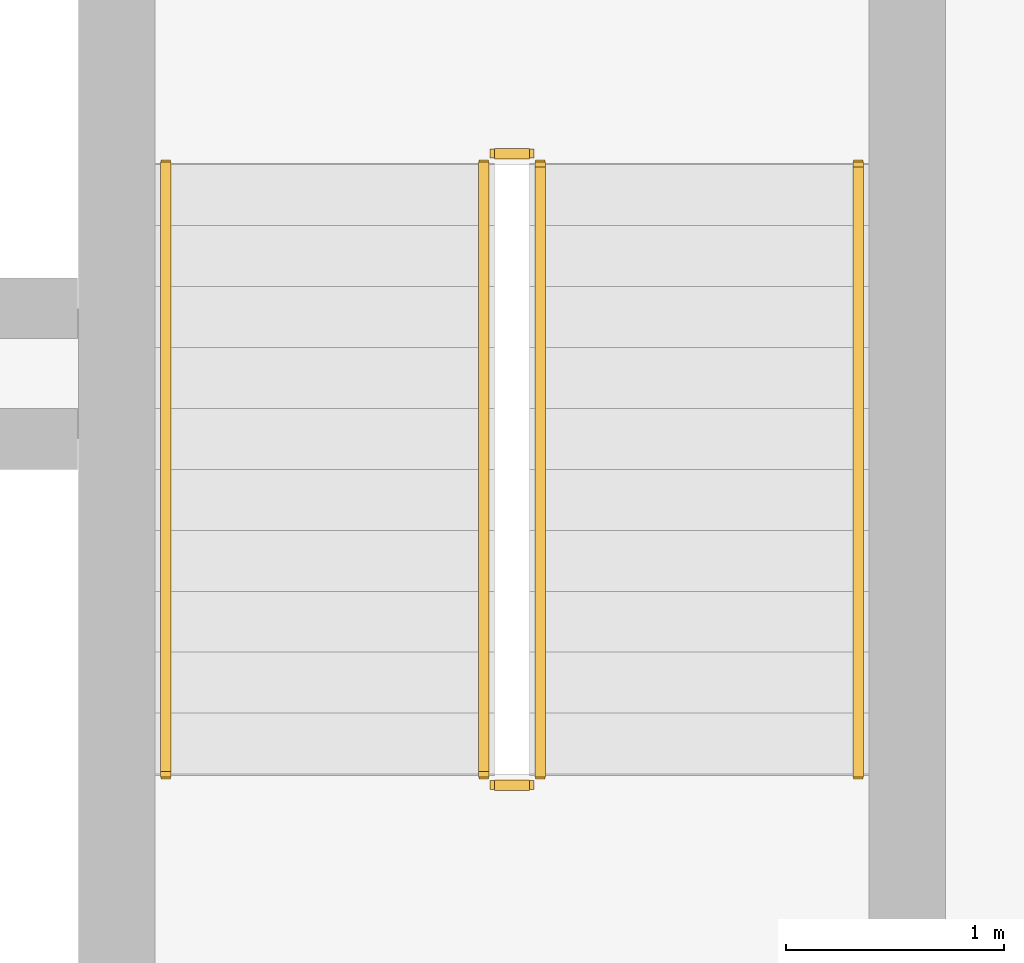
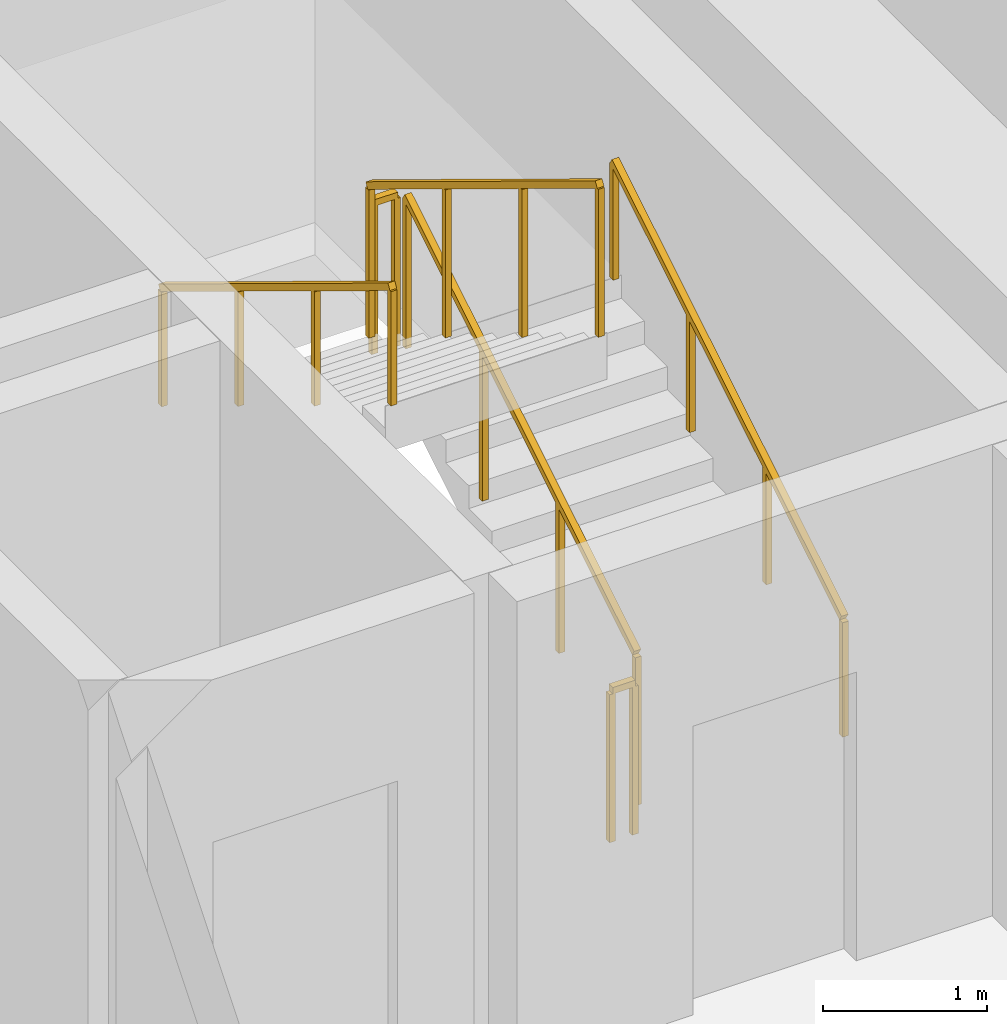
# One storey, part 14 of 14: 6 railings.
"""IFC4 building model written with IfcOpenShell, lengths in metres."""

from ifc_helpers import new_model, si_unit, direction, frame, origin, origin_2d, place, context, subcontext, project, spatial, rectangle, extrude, material, type_object, element, save


model = new_model("IFC4")

# Units and contexts
model_context = context("Model", 3, precision=1e-05, world=origin(), true_north=direction((0.0, 1.0)))
body_context = subcontext(model_context, "Body", "Model", "MODEL_VIEW")
ifc_project = project(units=[si_unit("LENGTHUNIT", "METRE"), si_unit("AREAUNIT", "SQUARE_METRE"), si_unit("VOLUMEUNIT", "CUBIC_METRE"), si_unit("PLANEANGLEUNIT", "RADIAN"), si_unit("MASSUNIT", "GRAM", prefix="KILO")], contexts=[model_context])

# Site, building, storey
site_placement = place(None, origin())
site = spatial("IfcSite", under=ifc_project, at=site_placement, CompositionType="ELEMENT")
building_placement = place(site_placement, origin())
building = spatial("IfcBuilding", under=site, at=building_placement, Name="Kaelvorn Grand Hotel", CompositionType="ELEMENT")
storey_placement = place(building_placement, frame((0.0, 0.0, 123.050048828125)))
storey = spatial("IfcBuildingStorey", under=building, at=storey_placement, Name="L29", CompositionType="ELEMENT", Elevation=123.050048828125)

# Railings
ifc_material = material(Name="Stainless Steel", Category="steel")
railing_type_1 = type_object("IfcRailingType", Name="RL-HANDRAIL-900", PredefinedType="HANDRAIL", material=ifc_material)
railing_1_placement = place(storey_placement, frame((66.550048828125, 41.760009765625, 0.17041015625)))
element("IfcRailing", 1, at=railing_1_placement, inside=storey, type_object=railing_type_1, Name="L29 ST3 stair handrail 1", PredefinedType="HANDRAIL", context=body_context, shape_type="SweptSolid", body=[
    extrude(rectangle(XDim=0.048095703125, YDim=0.048095703125, at=origin_2d()), frame((0.0, 0.0, 0.8759765625), z_axis=(0.0, 0.854169791009, 0.51999420009), x_axis=(-1.0, 0.0, 0.0)), (0.0, 0.0, 1.0), 3.278076171875),
    extrude(rectangle(XDim=0.0419921875, YDim=0.0419921875, at=origin_2d()), origin(), (0.0, 0.0, 1.0), 0.851806640625),
    extrude(rectangle(XDim=0.0419921875, YDim=0.0419921875, at=origin_2d()), frame((0.0, 0.933349609375, 0.568115234375)), (0.0, 0.0, 1.0), 0.851806640625),
    extrude(rectangle(XDim=0.0419921875, YDim=0.0419921875, at=origin_2d()), frame((0.0, 1.86669921875, 1.136474609375)), (0.0, 0.0, 1.0), 0.851806640625),
    extrude(rectangle(XDim=0.0419921875, YDim=0.0419921875, at=origin_2d()), frame((0.0, 2.800048828125, 1.70458984375)), (0.0, 0.0, 1.0), 0.851806640625),
])
railing_2_placement = place(storey_placement, frame((63.3701171875, 44.56005859375, 2.04541015625)))
element("IfcRailing", 2, at=railing_2_placement, inside=storey, type_object=railing_type_1, Name="L29 ST3 stair handrail 2", PredefinedType="HANDRAIL", context=body_context, shape_type="SweptSolid", body=[
    extrude(rectangle(XDim=0.048095703125, YDim=0.048095703125, at=origin_2d()), frame((0.0, 0.0, 0.8759765625), z_axis=(0.0, -0.854169791009, 0.51999420009), x_axis=(1.0, 0.0, 0.0)), (0.0, 0.0, 1.0), 3.278076171875),
    extrude(rectangle(XDim=0.0419921875, YDim=0.0419921875, at=origin_2d()), origin(), (0.0, 0.0, 1.0), 0.851806640625),
    extrude(rectangle(XDim=0.0419921875, YDim=0.0419921875, at=origin_2d()), frame((0.0, -0.933349609375, 0.568115234375)), (0.0, 0.0, 1.0), 0.851806640625),
    extrude(rectangle(XDim=0.0419921875, YDim=0.0419921875, at=origin_2d()), frame((0.0, -1.86669921875, 1.136474609375)), (0.0, 0.0, 1.0), 0.851806640625),
    extrude(rectangle(XDim=0.0419921875, YDim=0.0419921875, at=origin_2d()), frame((0.0, -2.800048828125, 1.70458984375)), (0.0, 0.0, 1.0), 0.851806640625),
])
railing_type_2 = type_object("IfcRailingType", Name="RL-STAIR-GUARD-1150", PredefinedType="BALUSTRADE", material=ifc_material)
railing_3_placement = place(storey_placement, frame((65.090087890625, 41.760009765625, 0.17041015625)))
element("IfcRailing", 3, at=railing_3_placement, inside=storey, type_object=railing_type_2, Name="L29 ST3 stair guard 1", PredefinedType="BALUSTRADE", context=body_context, shape_type="SweptSolid", body=[
    extrude(rectangle(XDim=0.048095703125, YDim=0.048095703125, at=origin_2d()), frame((0.0, 0.0, 1.1259765625), z_axis=(0.0, 0.854169791009, 0.51999420009), x_axis=(-1.0, 0.0, 0.0)), (0.0, 0.0, 1.0), 3.278076171875),
    extrude(rectangle(XDim=0.0419921875, YDim=0.0419921875, at=origin_2d()), origin(), (0.0, 0.0, 1.0), 1.101806640625),
    extrude(rectangle(XDim=0.0419921875, YDim=0.0419921875, at=origin_2d()), frame((0.0, 0.933349609375, 0.568115234375)), (0.0, 0.0, 1.0), 1.101806640625),
    extrude(rectangle(XDim=0.0419921875, YDim=0.0419921875, at=origin_2d()), frame((0.0, 1.86669921875, 1.136474609375)), (0.0, 0.0, 1.0), 1.101806640625),
    extrude(rectangle(XDim=0.0419921875, YDim=0.0419921875, at=origin_2d()), frame((0.0, 2.800048828125, 1.70458984375)), (0.0, 0.0, 1.0), 1.101806640625),
])
railing_4_placement = place(storey_placement, frame((65.0400390625, 44.610107421875, 1.875)))
element("IfcRailing", 4, at=railing_4_placement, inside=storey, type_object=railing_type_2, Name="L29 ST3 stair guard 2", PredefinedType="BALUSTRADE", context=body_context, shape_type="SweptSolid", body=[
    extrude(rectangle(XDim=0.048095703125, YDim=0.048095703125, at=origin_2d()), frame((0.0, 0.0, 1.1259765625), z_axis=(-1.0, 0.0, 0.0), x_axis=(0.0, -1.0, 0.0)), (0.0, 0.0, 1.0), 0.16015625),
    extrude(rectangle(XDim=0.0419921875, YDim=0.0419921875, at=origin_2d()), origin(), (0.0, 0.0, 1.0), 1.101806640625),
    extrude(rectangle(XDim=0.0419921875, YDim=0.0419921875, at=origin_2d()), frame((-0.16015625, 0.0, 0.0)), (0.0, 0.0, 1.0), 1.101806640625),
])
railing_5_placement = place(storey_placement, frame((64.830078125, 44.56005859375, 2.04541015625)))
element("IfcRailing", 5, at=railing_5_placement, inside=storey, type_object=railing_type_2, Name="L29 ST3 stair guard 3", PredefinedType="BALUSTRADE", context=body_context, shape_type="SweptSolid", body=[
    extrude(rectangle(XDim=0.048095703125, YDim=0.048095703125, at=origin_2d()), frame((0.0, 0.0, 1.1259765625), z_axis=(0.0, -0.854169791009, 0.51999420009), x_axis=(1.0, 0.0, 0.0)), (0.0, 0.0, 1.0), 3.278076171875),
    extrude(rectangle(XDim=0.0419921875, YDim=0.0419921875, at=origin_2d()), origin(), (0.0, 0.0, 1.0), 1.101806640625),
    extrude(rectangle(XDim=0.0419921875, YDim=0.0419921875, at=origin_2d()), frame((0.0, -0.933349609375, 0.568115234375)), (0.0, 0.0, 1.0), 1.101806640625),
    extrude(rectangle(XDim=0.0419921875, YDim=0.0419921875, at=origin_2d()), frame((0.0, -1.86669921875, 1.136474609375)), (0.0, 0.0, 1.0), 1.101806640625),
    extrude(rectangle(XDim=0.0419921875, YDim=0.0419921875, at=origin_2d()), frame((0.0, -2.800048828125, 1.70458984375)), (0.0, 0.0, 1.0), 1.101806640625),
])
railing_6_placement = place(storey_placement, frame((65.0400390625, 41.7099609375, 0.0)))
element("IfcRailing", 6, at=railing_6_placement, inside=storey, type_object=railing_type_2, Name="L29 ST3 stair guard 4", PredefinedType="BALUSTRADE", context=body_context, shape_type="SweptSolid", body=[
    extrude(rectangle(XDim=0.048095703125, YDim=0.048095703125, at=origin_2d()), frame((0.0, 0.0, 1.1259765625), z_axis=(-1.0, 0.0, 0.0), x_axis=(0.0, -1.0, 0.0)), (0.0, 0.0, 1.0), 0.16015625),
    extrude(rectangle(XDim=0.0419921875, YDim=0.0419921875, at=origin_2d()), origin(), (0.0, 0.0, 1.0), 1.101806640625),
    extrude(rectangle(XDim=0.0419921875, YDim=0.0419921875, at=origin_2d()), frame((-0.16015625, 0.0, 0.0)), (0.0, 0.0, 1.0), 1.101806640625),
])

save(model, "model.ifc")
